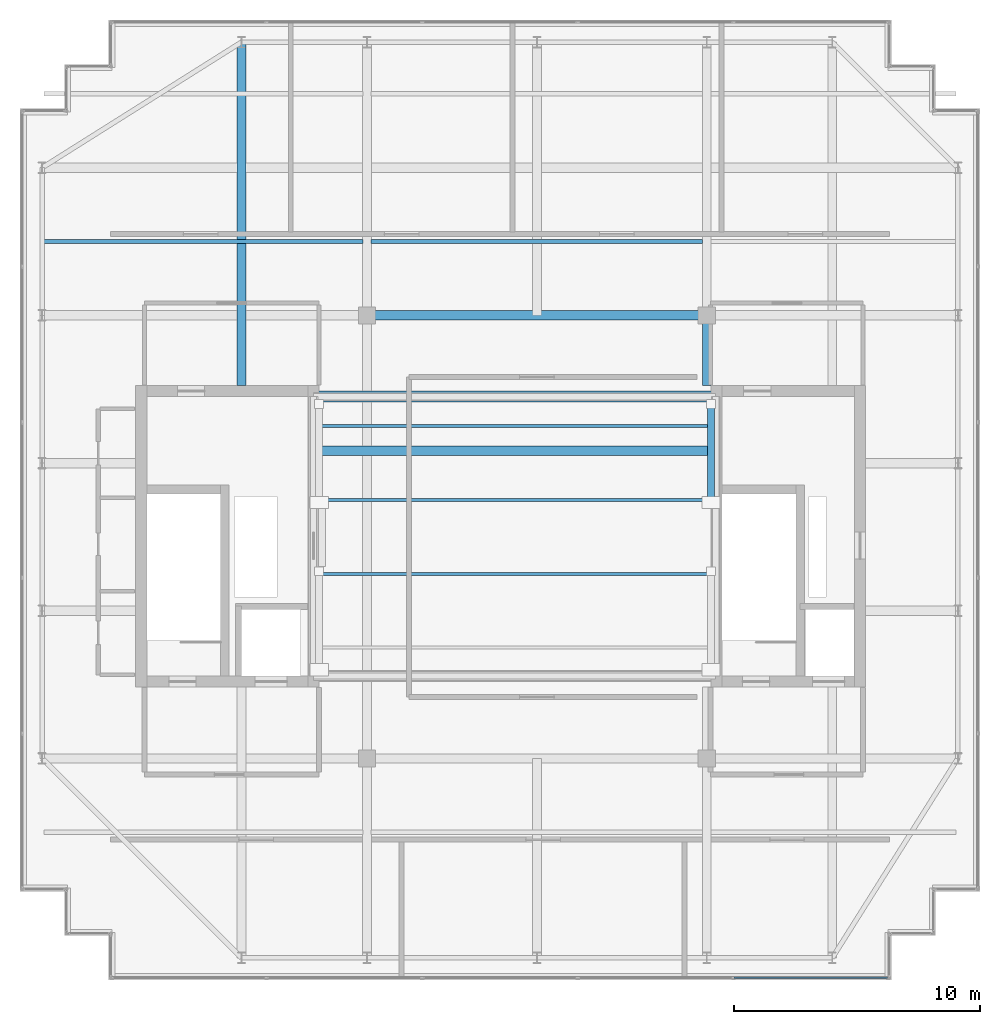
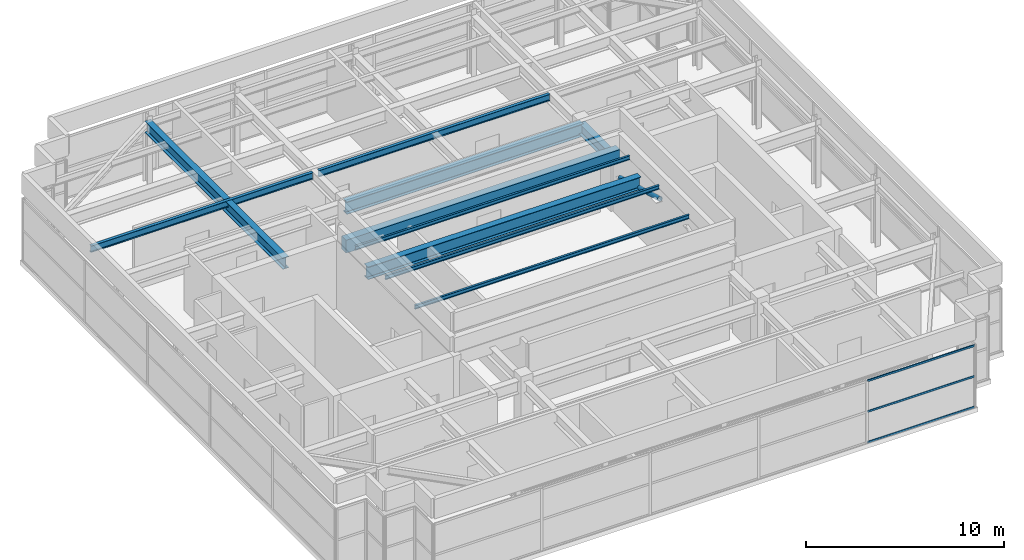
# One storey, part 14 of 33: 7 beams, 7 members, 1 element without a shape of its own.
"""IFC4 building model written with IfcOpenShell, lengths in metres."""

from ifc_helpers import new_model, si_unit, direction, frame, origin, origin_2d, place, context, subcontext, project, spatial, rectangle, hollow_rectangle, hollow_circle, i_section, extrude, source, transform, mapped, material, layer, layer_set, material_profile, profile_set, type_object, element, aggregate, save


model = new_model("IFC4")

# Units and contexts
model_context = context("Model", 3, precision=1e-05, world=origin(), true_north=direction((0.0, 1.0)))
body_context = subcontext(model_context, "Body", "Model", "MODEL_VIEW")
ifc_project = project(units=[si_unit("LENGTHUNIT", "METRE"), si_unit("AREAUNIT", "SQUARE_METRE"), si_unit("VOLUMEUNIT", "CUBIC_METRE"), si_unit("PLANEANGLEUNIT", "RADIAN"), si_unit("MASSUNIT", "GRAM", prefix="KILO")], contexts=[model_context])

# Site, building, storey
site_placement = place(None, origin())
site = spatial("IfcSite", under=ifc_project, at=site_placement, CompositionType="ELEMENT")
building_placement = place(site_placement, origin())
building = spatial("IfcBuilding", under=site, at=building_placement, Name="Khoralis Quay Care Tower", CompositionType="ELEMENT")
storey_placement = place(building_placement, frame((0.0, 0.0, 314.699951171875)))
storey = spatial("IfcBuildingStorey", under=building, at=storey_placement, Name="L82", CompositionType="ELEMENT", Elevation=314.699951171875)

# Beams
ifc_material_1 = material(Name="Concrete C50/60", Category="concrete")
ifc_material_profile_1 = material_profile(ifc_material_1, rectangle(XDim=0.449951171875, YDim=0.800048828125, at=origin_2d()), Name="Concrete C50/60")
ifc_profile_set_1 = profile_set([ifc_material_profile_1], Name="Concrete C50/60")
beam_type_1 = type_object("IfcBeamType", Name="CB-RC450X800", PredefinedType="LINTEL", material=ifc_profile_set_1)
shared_shape_1 = source(origin(), body_context, "Body", "SweptSolid", [
    extrude(rectangle(XDim=0.449951171875, YDim=0.800048828125, at=origin_2d()), origin(), (0.0, 0.0, 1.0), 15.97998046875),
])
beam_1_placement = place(storey_placement, frame((15.1201171875, 26.699951171875, 3.800048828125), z_axis=(1.0, 0.0, 0.0), x_axis=(0.0, 1.0, 0.0)))
element("IfcBeam", 1, at=beam_1_placement, inside=storey, type_object=beam_type_1, Name="L82 North Core Coupling Lintel", PredefinedType="LINTEL", context=body_context, shape_type="MappedRepresentation", body=[
    mapped(shared_shape_1, transform((0.0, 0.0, 0.0), scale=1.0)),
])
ifc_material_2 = material(Name="Steel S355", Category="steel")
ifc_material_profile_2 = material_profile(ifc_material_2, i_section(OverallWidth=0.381103515625, OverallDepth=0.77294921875, WebThickness=0.0166015625, FlangeThickness=0.027587890625, FilletRadius=0.02197265625, at=origin_2d()), Name="Steel S355")
ifc_profile_set_2 = profile_set([ifc_material_profile_2], Name="Steel S355")
beam_type_2 = type_object("IfcBeamType", Name="BM-W760X257", PredefinedType="BEAM", material=ifc_profile_set_2)
shared_shape_2 = source(origin(), body_context, "Body", "SweptSolid", [
    extrude(i_section(OverallWidth=0.381103515625, OverallDepth=0.77294921875, WebThickness=0.0166015625, FlangeThickness=0.027587890625, FilletRadius=0.02197265625, at=origin_2d()), origin(), (0.0, 0.0, 1.0), 13.7998046875),
])
beam_2_placement = place(storey_placement, frame((17.10009765625, 30.0, 3.45361328125), z_axis=(1.0, 0.0, 0.0), x_axis=(0.0, 1.0, 0.0)))
element("IfcBeam", 2, at=beam_2_placement, inside=storey, type_object=beam_type_2, Name="BM-TGCC-L82-300", PredefinedType="BEAM", context=body_context, shape_type="MappedRepresentation", body=[
    mapped(shared_shape_2, transform((0.0, 0.0, 0.0), scale=1.0)),
])
ifc_material_profile_3 = material_profile(ifc_material_2, i_section(OverallWidth=0.177978515625, OverallDepth=0.406982421875, WebThickness=0.0078125, FlangeThickness=0.0126953125, FilletRadius=0.012939453125, at=origin_2d()), Name="Steel S355")
ifc_profile_set_3 = profile_set([ifc_material_profile_3], Name="Steel S355")
beam_type_3 = type_object("IfcBeamType", Name="BM-W410X60", PredefinedType="JOIST", material=ifc_profile_set_3)
shared_shape_3 = source(origin(), body_context, "Body", "SweptSolid", [
    extrude(i_section(OverallWidth=0.177978515625, OverallDepth=0.406982421875, WebThickness=0.0078125, FlangeThickness=0.0126953125, FilletRadius=0.012939453125, at=origin_2d()), origin(), (0.0, 0.0, 1.0), 13.46923828125),
])
beam_3_placement = place(storey_placement, frame((17.265380859375, 33.0, 3.636474609375), z_axis=(1.0, 0.0, 0.0), x_axis=(0.0, 1.0, 0.0)))
element("IfcBeam", 3, at=beam_3_placement, inside=storey, type_object=beam_type_3, Name="BM-TJS-L82-26", PredefinedType="JOIST", context=body_context, shape_type="MappedRepresentation", body=[
    mapped(shared_shape_3, transform((0.0, 0.0, 0.0), scale=1.0)),
])
shared_shape_4 = source(origin(), body_context, "Body", "SweptSolid", [
    extrude(i_section(OverallWidth=0.381103515625, OverallDepth=0.77294921875, WebThickness=0.0166015625, FlangeThickness=0.027587890625, FilletRadius=0.02197265625, at=origin_2d()), origin(), (0.0, 0.0, 1.0), 15.924072265625),
])
beam_4_placement = place(storey_placement, frame((15.14794921875, 24.5, 3.45361328125), z_axis=(1.0, 0.0, 0.0), x_axis=(0.0, 1.0, 0.0)))
element("IfcBeam", 4, at=beam_4_placement, inside=storey, type_object=beam_type_2, Name="BM-TGCC-L82-245", PredefinedType="BEAM", context=body_context, shape_type="MappedRepresentation", body=[
    mapped(shared_shape_4, transform((0.0, 0.0, 0.0), scale=1.0)),
])
ifc_material_profile_4 = material_profile(ifc_material_2, i_section(OverallWidth=0.35498046875, OverallDepth=0.695068359375, WebThickness=0.015380859375, FlangeThickness=0.02490234375, FilletRadius=0.02001953125, at=origin_2d()), Name="Steel S355")
ifc_profile_set_4 = profile_set([ifc_material_profile_4], Name="Steel S355")
beam_type_4 = type_object("IfcBeamType", Name="BM-W690X217", PredefinedType="BEAM", material=ifc_profile_set_4)
shared_shape_5 = source(origin(), body_context, "Body", "SweptSolid", [
    extrude(i_section(OverallWidth=0.35498046875, OverallDepth=0.695068359375, WebThickness=0.015380859375, FlangeThickness=0.02490234375, FilletRadius=0.02001953125, at=origin_2d()), origin(), (0.0, 0.0, 1.0), 13.9521484375),
])
beam_5_placement = place(storey_placement, frame((12.0, 27.14794921875, 3.492431640625), z_axis=(0.0, 1.0, 0.0), x_axis=(-1.0, 0.0, 0.0)))
element("IfcBeam", 5, at=beam_5_placement, inside=storey, type_object=beam_type_4, Name="BM-TGYN-L82-120", PredefinedType="BEAM", context=body_context, shape_type="MappedRepresentation", body=[
    mapped(shared_shape_5, transform((0.0, 0.0, 0.0), scale=1.0)),
])
shared_shape_6 = source(origin(), body_context, "Body", "SweptSolid", [
    extrude(i_section(OverallWidth=0.177978515625, OverallDepth=0.406982421875, WebThickness=0.0078125, FlangeThickness=0.0126953125, FilletRadius=0.012939453125, at=origin_2d()), origin(), (0.0, 0.0, 1.0), 12.95361328125),
])
beam_6_placement = place(storey_placement, frame((3.98095703125, 33.0, 3.636474609375), z_axis=(1.0, 0.0, 0.0), x_axis=(0.0, 1.0, 0.0)))
element("IfcBeam", 6, at=beam_6_placement, inside=storey, type_object=beam_type_3, Name="BM-TJS-L82-24", PredefinedType="JOIST", context=body_context, shape_type="MappedRepresentation", body=[
    mapped(shared_shape_6, transform((0.0, 0.0, 0.0), scale=1.0)),
])
shared_shape_7 = source(origin(), body_context, "Body", "SweptSolid", [
    extrude(i_section(OverallWidth=0.35498046875, OverallDepth=0.695068359375, WebThickness=0.015380859375, FlangeThickness=0.02490234375, FilletRadius=0.02001953125, at=origin_2d()), origin(), (0.0, 0.0, 1.0), 2.85205078125),
])
beam_7_placement = place(storey_placement, frame((30.89990234375, 27.14794921875, 3.492431640625), z_axis=(0.0, 1.0, 0.0), x_axis=(-1.0, 0.0, 0.0)))
element("IfcBeam", 7, at=beam_7_placement, inside=storey, type_object=beam_type_4, Name="BM-TGSE-L82-N", PredefinedType="BEAM", context=body_context, shape_type="MappedRepresentation", body=[
    mapped(shared_shape_7, transform((0.0, 0.0, 0.0), scale=1.0)),
])

# Members
ifc_material_profile_5 = material_profile(ifc_material_2, hollow_circle(Radius=0.136474609375, WallThickness=0.012451171875, at=origin_2d()), Name="Steel S355")
ifc_profile_set_5 = profile_set([ifc_material_profile_5], Name="Steel S355")
member_type_1 = type_object("IfcMemberType", Name="ST-CHS273X12", PredefinedType="STRUT", material=ifc_profile_set_5)
shared_shape_8 = source(origin(), body_context, "Body", "SweptSolid", [
    extrude(hollow_circle(Radius=0.136474609375, WallThickness=0.012451171875, at=origin_2d()), origin(), (0.0, 0.0, 1.0), 4.156494140625),
])
member_1_placement = place(storey_placement, frame((31.072021484375, 22.39990234375, 3.650146484375), z_axis=(0.0, 0.962328782221, -0.271888423639), x_axis=(-1.0, 0.0, 0.0)))
element("IfcMember", 8, at=member_1_placement, inside=storey, type_object=member_type_1, Name="L82 Lantern Diagrid Strut 4", PredefinedType="STRUT", context=body_context, shape_type="MappedRepresentation", body=[
    mapped(shared_shape_8, transform((0.0, 0.0, 0.0), scale=1.0)),
])
ifc_material_profile_6 = material_profile(ifc_material_2, i_section(OverallWidth=0.1201171875, OverallDepth=0.239990234375, WebThickness=0.006103515625, FlangeThickness=0.009765625, FilletRadius=0.014892578125, at=origin_2d()), Name="Steel S355")
ifc_profile_set_6 = profile_set([ifc_material_profile_6], Name="Steel S355")
member_type_2 = type_object("IfcMemberType", Name="PR-IPE240", PredefinedType="PURLIN", material=ifc_profile_set_6)
shared_shape_9 = source(origin(), body_context, "Body", "SweptSolid", [
    extrude(i_section(OverallWidth=0.1201171875, OverallDepth=0.239990234375, WebThickness=0.006103515625, FlangeThickness=0.009765625, FilletRadius=0.014892578125, at=origin_2d()), origin(), (0.0, 0.0, 1.0), 15.97998046875),
])
for number, where, z_axis, x_axis, name in (
    (9, (15.10009765625, 19.5, 4.330078125), (1.0, 0.0, 0.0), (0.0, 1.0, 0.0), "MBR-RF-PR-2"),
    (10, (15.10009765625, 22.5, 4.330078125), (1.0, 0.0, 0.0), (0.0, 1.0, 0.0), "MBR-RF-PR-3"),
    (11, (15.10009765625, 25.5, 4.330078125), (1.0, 0.0, 0.0), (0.0, 1.0, 0.0), "MBR-RF-PR-4"),
):
    element("IfcMember", number, at=place(storey_placement, frame(where, z_axis=z_axis, x_axis=x_axis)), inside=storey, type_object=member_type_2, Name=name, PredefinedType="PURLIN", context=body_context, shape_type="MappedRepresentation", body=[
        mapped(shared_shape_9, transform((0.0, 0.0, 0.0), scale=1.0)),
    ])

# Curtain wall, members
ifc_material_3 = material(Name="Pale anodised aluminium", Category="aluminium")
ifc_layer = layer(ifc_material_3, 0.199951171875)
ifc_layer_set = layer_set([ifc_layer], Name="Pale anodised aluminium")
curtain_wall_type = type_object("IfcCurtainWallType", Name="CW-SYS-LANTERN", PredefinedType="NOTDEFINED", material=ifc_layer_set)
curtain_wall_placement = place(storey_placement, origin())
curtain_wall = element("IfcCurtainWall", 12, at=curtain_wall_placement, inside=storey, type_object=curtain_wall_type, Name="L82 Unitised Curtain Wall CW-LN-L82-01", PredefinedType="NOTDEFINED")
ifc_material_profile_7 = material_profile(ifc_material_3, hollow_rectangle(XDim=0.054931640625, YDim=0.1201171875, WallThickness=0.00390625, at=origin_2d()), Name="Pale anodised aluminium")
ifc_profile_set_7 = profile_set([ifc_material_profile_7], Name="Pale anodised aluminium")
member_type_3 = type_object("IfcMemberType", Name="CW-TRN-120", PredefinedType="USERDEFINED", material=ifc_profile_set_7)
shared_shape_10 = source(origin(), body_context, "Body", "SweptSolid", [
    extrude(hollow_rectangle(XDim=0.054931640625, YDim=0.1201171875, WallThickness=0.00390625, at=origin_2d()), origin(), (0.0, 0.0, 1.0), 6.23388671875),
])
member_2_placement = place(storey_placement, frame((32.01611328125, 3.090087890625, 0.030029296875), z_axis=(1.0, 0.0, 0.0), x_axis=(0.0, 1.0, 0.0)))
member_2 = element("IfcMember", 13, at=member_2_placement, type_object=member_type_3, Name="CW5 transom 5.1", ObjectType="TRANSOM", PredefinedType="USERDEFINED", context=body_context, shape_type="MappedRepresentation", body=[
    mapped(shared_shape_10, transform((0.0, 0.0, 0.0), scale=1.0)),
])
member_3_placement = place(storey_placement, frame((32.01611328125, 3.090087890625, 1.920166015625), z_axis=(1.0, 0.0, 0.0), x_axis=(0.0, 1.0, 0.0)))
member_3 = element("IfcMember", 14, at=member_3_placement, type_object=member_type_3, Name="CW5 transom 5.2", ObjectType="TRANSOM", PredefinedType="USERDEFINED", context=body_context, shape_type="MappedRepresentation", body=[
    mapped(shared_shape_10, transform((0.0, 0.0, 0.0), scale=1.0)),
])
member_4_placement = place(storey_placement, frame((32.01611328125, 3.090087890625, 3.81005859375), z_axis=(1.0, 0.0, 0.0), x_axis=(0.0, 1.0, 0.0)))
member_4 = element("IfcMember", 15, at=member_4_placement, type_object=member_type_3, Name="CW5 transom 5.3", ObjectType="TRANSOM", PredefinedType="USERDEFINED", context=body_context, shape_type="MappedRepresentation", body=[
    mapped(shared_shape_10, transform((0.0, 0.0, 0.0), scale=1.0)),
])
aggregate(curtain_wall, [member_2, member_3, member_4])

save(model, "model.ifc")
